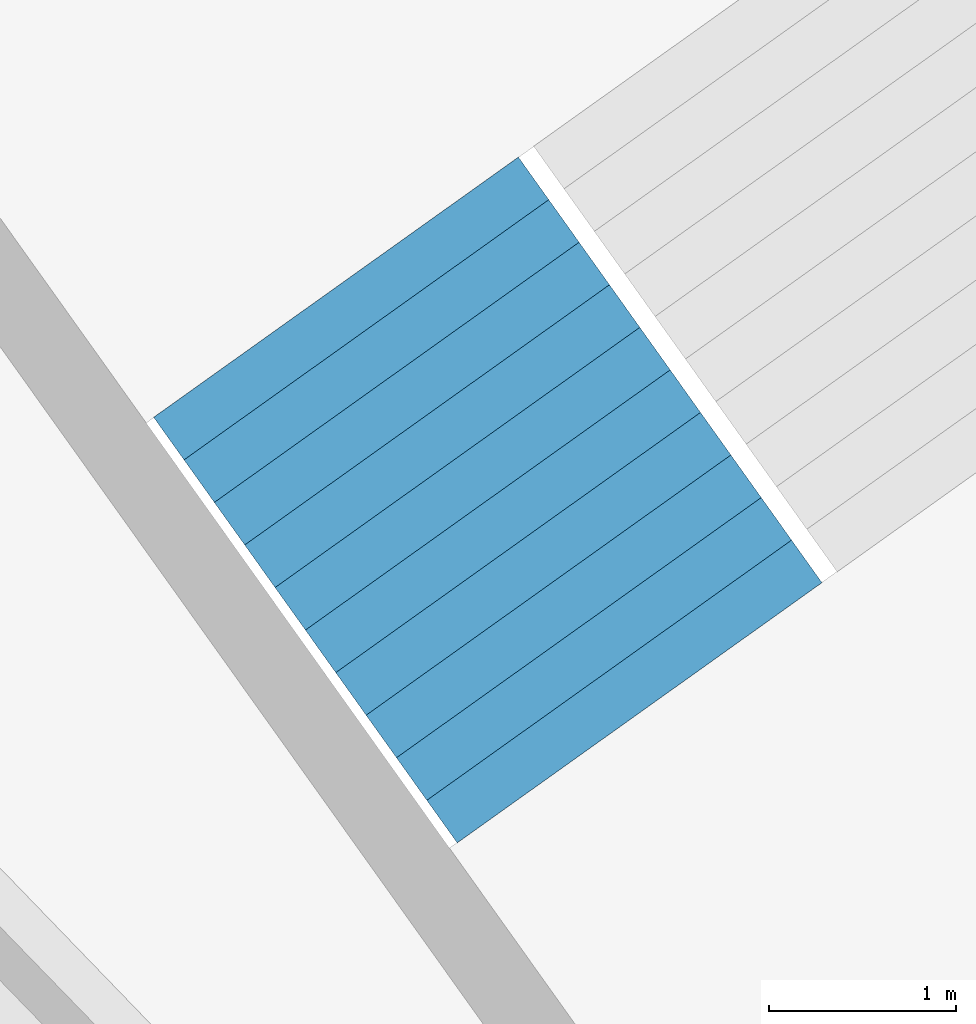
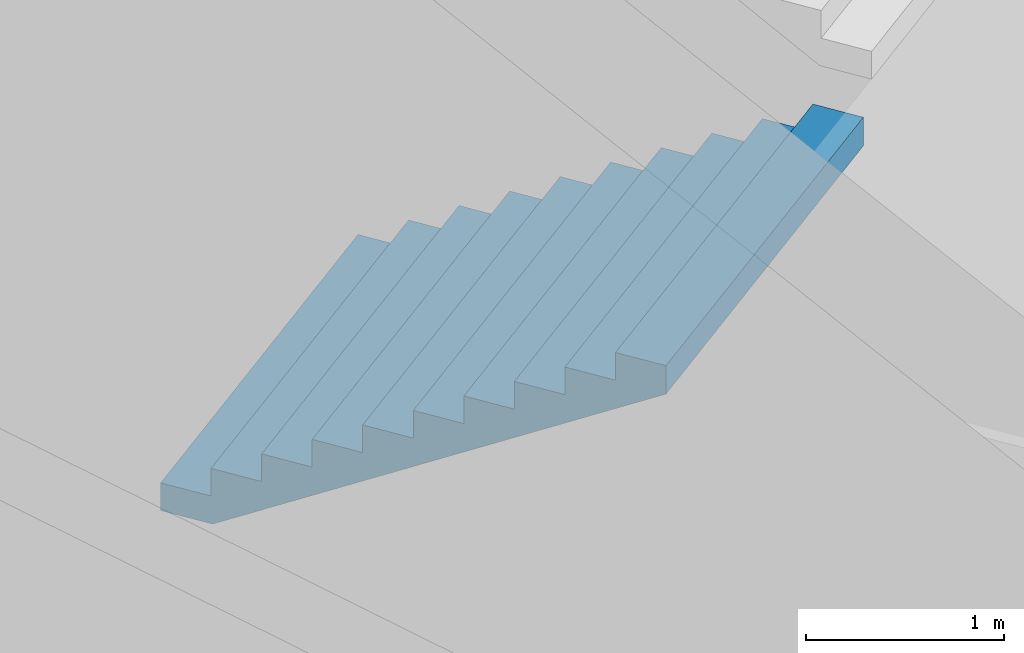
# One storey, part 41 of 73: 1 stair flight, 1 element without a shape of its own.
"""IFC4 building model written with IfcOpenShell, lengths in metres."""

import ifcopenshell
import ifcopenshell.guid

model = None  # the IFC model being written
_history = None  # IfcOwnerHistory: only IFC2X3 demands one
_inside = {}  # id of a spatial element -> (the spatial element, [elements in it])
_under = {}  # id of a project, library or spatial element -> (it, [spatial elements below it])
_declared = {}  # id of a project -> (the project, [libraries it declares])
_typed = {}  # id of a type object -> (the type object, [elements of that type])
_made_of = {}  # id of a material, layer set ... -> (it, [elements and type objects made of it])


def new_model(schema):
    """Start an empty IFC model of exactly this schema.

    Asked for "IFC4X3", IfcOpenShell would pick the latest addendum, in which some entities
    have other attributes; the version numbers below select the first issue.
    IFC2X3 requires an IfcOwnerHistory on every rooted entity: one is made here for all.
    """
    global model, _history
    if schema == "IFC4X3":
        model = ifcopenshell.file(schema_version=(4, 3, 0, 0))
    else:
        model = ifcopenshell.file(schema=schema)
    _inside.clear()
    _under.clear()
    _declared.clear()
    _typed.clear()
    _made_of.clear()
    _history = None
    if model.schema == "IFC2X3":
        org = make("IfcOrganization", Name="unknown")
        user = make(
            "IfcPersonAndOrganization",
            ThePerson=make("IfcPerson", FamilyName="unknown"),
            TheOrganization=org,
        )
        app = make(
            "IfcApplication",
            ApplicationDeveloper=org,
            Version="unknown",
            ApplicationFullName="unknown",
            ApplicationIdentifier="unknown",
        )
        _history = make(
            "IfcOwnerHistory",
            OwningUser=user,
            OwningApplication=app,
            ChangeAction="ADDED",
            CreationDate=0,
        )
    return model


def make(cls, **values):
    """One entity of the class cls with the attributes given. An attribute that is None is left unset."""
    return model.create_entity(
        cls, **{name: value for name, value in values.items() if value is not None}
    )


def rooted(cls, **values):
    """An entity with a GlobalId (a new one), such as an element, a storey or a relation."""
    return make(cls, GlobalId=ifcopenshell.guid.new(), OwnerHistory=_history, **values)


def si_unit(unit_type, name, prefix=None):
    """IfcSIUnit, for example si_unit("LENGTHUNIT", "METRE", prefix="MILLI")."""
    return make("IfcSIUnit", UnitType=unit_type, Prefix=prefix, Name=name)


def assignment(units):
    """IfcUnitAssignment: the units of a project."""
    return None if units is None else make("IfcUnitAssignment", Units=units)


def point(xyz):
    """IfcCartesianPoint."""
    return None if xyz is None else make("IfcCartesianPoint", Coordinates=xyz)


def direction(xyz):
    """IfcDirection."""
    return None if xyz is None else make("IfcDirection", DirectionRatios=xyz)


def frame(location, z_axis=None, x_axis=None):
    """IfcAxis2Placement3D, a coordinate frame: its origin and axes. An axis left out is left unset."""
    return make(
        "IfcAxis2Placement3D",
        Location=point(location),
        Axis=direction(z_axis),
        RefDirection=direction(x_axis),
    )


def origin():
    """The frame at (0, 0, 0) with its axes left unset."""
    return frame((0.0, 0.0, 0.0))


def place(relative_to, where):
    """IfcLocalPlacement: puts the frame where relative to a parent placement (None: the world)."""
    return make(
        "IfcLocalPlacement", PlacementRelTo=relative_to, RelativePlacement=where
    )


def context(
    kind, dimensions, precision=None, world=None, true_north=None, identifier=None
):
    """IfcGeometricRepresentationContext, for example the 3D "Model" context."""
    return make(
        "IfcGeometricRepresentationContext",
        ContextIdentifier=identifier,
        ContextType=kind,
        CoordinateSpaceDimension=dimensions,
        Precision=precision,
        WorldCoordinateSystem=world,
        TrueNorth=true_north,
    )


def subcontext(parent, identifier, kind, view, scale=None):
    """IfcGeometricRepresentationSubContext, for example "Body" below "Model"."""
    return make(
        "IfcGeometricRepresentationSubContext",
        ContextIdentifier=identifier,
        ContextType=kind,
        ParentContext=parent,
        TargetScale=scale,
        TargetView=view,
    )


def project(units=None, contexts=None):
    """IfcProject with its units and contexts."""
    return rooted(
        "IfcProject",
        Name="project",
        RepresentationContexts=contexts,
        UnitsInContext=assignment(units),
    )


def spatial(cls, under=None, at=None, **own):
    """A site, building, storey or space (cls), placed at a placement, below another one or the project."""
    s = rooted(cls, ObjectPlacement=at, **own)
    if under is not None:
        _under.setdefault(under.id(), (under, []))[1].append(s)
    return s


def point_list(points):
    """IfcCartesianPointList2D or 3D."""
    cls = (
        "IfcCartesianPointList2D" if len(points[0]) == 2 else "IfcCartesianPointList3D"
    )
    return make(cls, CoordList=points)


def triangles(points, corners, closed=None, point_numbers=None):
    """IfcTriangulatedFaceSet: each triangle names its three corners, points numbered from 1."""
    return make(
        "IfcTriangulatedFaceSet",
        Coordinates=point_list(points),
        Closed=closed,
        CoordIndex=corners,
        PnIndex=point_numbers,
    )


def shape(context_of_items, identifier, shape_type, items):
    """IfcShapeRepresentation: the items that make up one representation, for example the "Body"."""
    return make(
        "IfcShapeRepresentation",
        ContextOfItems=context_of_items,
        RepresentationIdentifier=identifier,
        RepresentationType=shape_type,
        Items=items,
    )


def material(Name=None, Category=None):
    """IfcMaterial."""
    return make("IfcMaterial", Name=Name, Category=Category)


def made_of(thing, what):
    """Note that an element or type object is made of a material, layer set ...; save() writes the relation."""
    if what is not None:
        _made_of.setdefault(what.id(), (what, []))[1].append(thing)
    return thing


def type_object(cls, material=None, **own):
    """A type object (cls), such as IfcWallType, which elements share."""
    return made_of(rooted(cls, **own), material)


def element(
    cls,
    number,
    at=None,
    inside=None,
    cuts=None,
    type_object=None,
    material=None,
    context=None,
    identifier="Body",
    shape_type=None,
    held_by="IfcProductDefinitionShape",
    body=None,
    shapes=None,
    **own,
):
    """One element of the class cls, such as IfcWall. Its Tag is "e" and its number.

    at: its placement. inside: the storey or other place that contains it. cuts: it is an
    opening in that element (IfcRelVoidsElement). A single representation is given by context,
    identifier, shape_type and body (its items); several are given by shapes. held_by: the class
    of the entity that holds the representations. save() writes the other relations.
    """
    e = rooted(cls, Tag="e%d" % number, ObjectPlacement=at, **own)
    if body is not None:
        shapes = [shape(context, identifier, shape_type, body)]
    if shapes is not None:
        e.Representation = make(held_by, Representations=shapes)
    if inside is not None:
        _inside.setdefault(inside.id(), (inside, []))[1].append(e)
    if cuts is not None:
        rooted(
            "IfcRelVoidsElement", RelatingBuildingElement=cuts, RelatedOpeningElement=e
        )
    if type_object is not None:
        _typed.setdefault(type_object.id(), (type_object, []))[1].append(e)
    return made_of(e, material)


def aggregate(whole, parts):
    """IfcRelAggregates: a whole, such as a stair, and the parts it consists of."""
    return rooted("IfcRelAggregates", RelatingObject=whole, RelatedObjects=parts)


def save(model, path):
    """Write the relations noted so far, then the file.

    IfcRelAggregates (storeys below a building ...), IfcRelContainedInSpatialStructure (elements
    in a storey), IfcRelDefinesByType, IfcRelAssociatesMaterial and IfcRelDeclares: one each for
    every whole, place, type object, material and project.
    """
    for whole, parts in _under.values():
        aggregate(whole, parts)
    for where, things in _inside.values():
        rooted(
            "IfcRelContainedInSpatialStructure",
            RelatedElements=things,
            RelatingStructure=where,
        )
    for kind, things in _typed.values():
        rooted("IfcRelDefinesByType", RelatedObjects=things, RelatingType=kind)
    for what, things in _made_of.values():
        rooted("IfcRelAssociatesMaterial", RelatedObjects=things, RelatingMaterial=what)
    for by, libraries in _declared.values():
        rooted("IfcRelDeclares", RelatingContext=by, RelatedDefinitions=libraries)
    model.write(path)


model = new_model("IFC4")

# Units and contexts
model_context = context("Model", 3, precision=1e-05, world=origin(), true_north=direction((0.0, 1.0)))
body_context = subcontext(model_context, "Body", "Model", "MODEL_VIEW")
ifc_project = project(units=[si_unit("LENGTHUNIT", "METRE"), si_unit("AREAUNIT", "SQUARE_METRE"), si_unit("VOLUMEUNIT", "CUBIC_METRE"), si_unit("PLANEANGLEUNIT", "RADIAN"), si_unit("MASSUNIT", "GRAM", prefix="KILO")], contexts=[model_context])

# Site, building, storey
site_placement = place(None, origin())
site = spatial("IfcSite", under=ifc_project, at=site_placement, CompositionType="ELEMENT")
building_placement = place(site_placement, origin())
building = spatial("IfcBuilding", under=site, at=building_placement, Name="Lantaw Convention Tower", CompositionType="ELEMENT")
storey_placement = place(building_placement, frame((0.0, 0.0, 14.5)))
storey = spatial("IfcBuildingStorey", under=building, at=storey_placement, Name="L02", CompositionType="ELEMENT", Elevation=14.5)

# Stair, stair flight
ifc_material = material(Name="Concrete C35/45", Category="concrete")
stair_type = type_object("IfcStairType", Name="Exit stair 2400 riser 170.45 in 4 flights", PredefinedType="HALF_TURN_STAIR", material=ifc_material)
stair_placement = place(storey_placement, origin())
stair = element("IfcStair", 1, at=stair_placement, inside=storey, type_object=stair_type, Name="Podium exit stair P6 L02", PredefinedType="HALF_TURN_STAIR")
stair_flight_type = type_object("IfcStairFlightType", Name="Stair flight 2400 riser 170.45", PredefinedType="STRAIGHT", material=ifc_material)
stair_flight_placement = place(storey_placement, frame((-20.631591796875, 26.771728515625, 1.875), z_axis=(0.0, 0.0, 1.0), x_axis=(0.580702955711, -0.814115518356, 0.0)))
stair_flight = element("IfcStairFlight", 2, at=stair_flight_placement, type_object=stair_flight_type, Name="P6 flight 2", NumberOfRisers=11, NumberOfTreads=10, PredefinedType="STRAIGHT", RiserHeight=0.170454545, TreadLength=0.28, context=body_context, shape_type="Tessellation", body=[
    triangles([(0.0, 1.199951171875, 0.0), (0.0, 1.199951171875, 0.170454545), (0.28, 1.199951171875, 0.0), (0.28, 1.199951171875, 0.170454545), (0.28, 1.199951171875, 0.34090909), (0.28827876332691904, 1.199951171875, 0.0), (0.28827876332691904, 1.199951171875, 0.34090909), (0.56, 1.199951171875, 0.16541471344266906), (0.56, 1.199951171875, 0.34090909), (0.56, 1.199951171875, 0.511363635), (0.8400000000000001, 1.199951171875, 0.335869258442669), (0.8400000000000001, 1.199951171875, 0.511363635), (0.8400000000000001, 1.199951171875, 0.68181818), (1.12, 1.199951171875, 0.506323803442669), (1.12, 1.199951171875, 0.68181818), (1.12, 1.199951171875, 0.8522727250000001), (1.4000000000000001, 1.199951171875, 0.676778348442669), (1.4000000000000001, 1.199951171875, 0.8522727250000001), (1.4000000000000001, 1.199951171875, 1.02272727), (1.6800000000000002, 1.199951171875, 0.847232893442669), (1.6800000000000002, 1.199951171875, 1.02272727), (1.6800000000000002, 1.199951171875, 1.193181815), (1.9600000000000002, 1.199951171875, 1.017687438442669), (1.9600000000000002, 1.199951171875, 1.193181815), (1.9600000000000002, 1.199951171875, 1.36363636), (2.24, 1.199951171875, 1.188141983442669), (2.24, 1.199951171875, 1.36363636), (2.24, 1.199951171875, 1.5340909050000002), (2.5200000000000005, 1.199951171875, 1.358596528442669), (2.5200000000000005, 1.199951171875, 1.5340909050000002), (2.5200000000000005, 1.199951171875, 1.7045454500000001), (2.8000000000000003, 1.199951171875, 1.529051073442669), (2.8000000000000003, 1.199951171875, 1.7045454500000001), (0.0, -1.199951171875, 0.0), (0.0, -1.199951171875, 0.170454545), (0.28, -1.199951171875, 0.0), (0.28, -1.199951171875, 0.170454545), (0.28, -1.199951171875, 0.34090909), (0.28827876332691904, -1.199951171875, 0.0), (0.28827876332691904, -1.199951171875, 0.34090909), (0.56, -1.199951171875, 0.16541471344266906), (0.56, -1.199951171875, 0.34090909), (0.56, -1.199951171875, 0.511363635), (0.8400000000000001, -1.199951171875, 0.335869258442669), (0.8400000000000001, -1.199951171875, 0.511363635), (0.8400000000000001, -1.199951171875, 0.68181818), (1.12, -1.199951171875, 0.506323803442669), (1.12, -1.199951171875, 0.68181818), (1.12, -1.199951171875, 0.8522727250000001), (1.4000000000000001, -1.199951171875, 0.676778348442669), (1.4000000000000001, -1.199951171875, 0.8522727250000001), (1.4000000000000001, -1.199951171875, 1.02272727), (1.6800000000000002, -1.199951171875, 0.847232893442669), (1.6800000000000002, -1.199951171875, 1.02272727), (1.6800000000000002, -1.199951171875, 1.193181815), (1.9600000000000002, -1.199951171875, 1.017687438442669), (1.9600000000000002, -1.199951171875, 1.193181815), (1.9600000000000002, -1.199951171875, 1.36363636), (2.24, -1.199951171875, 1.188141983442669), (2.24, -1.199951171875, 1.36363636), (2.24, -1.199951171875, 1.5340909050000002), (2.5200000000000005, -1.199951171875, 1.358596528442669), (2.5200000000000005, -1.199951171875, 1.5340909050000002), (2.5200000000000005, -1.199951171875, 1.7045454500000001), (2.8000000000000003, -1.199951171875, 1.529051073442669), (2.8000000000000003, -1.199951171875, 1.7045454500000001), (0.0, 0.239990234375, 0.170454545), (0.0, 0.239990234375, 0.0), (0.0, 0.1199951171875, 0.170454545), (0.0, 0.1199951171875, 0.0), (0.0, 0.0, 0.170454545), (0.0, 0.0, 0.0), (0.0, -0.1199951171875, 0.170454545), (0.0, -0.1199951171875, 0.0), (0.0, -0.239990234375, 0.170454545), (0.0, -0.239990234375, 0.0), (0.28, 0.239990234375, 0.34090909), (0.28, 0.239990234375, 0.170454545), (0.28, 0.1199951171875, 0.34090909), (0.28, 0.1199951171875, 0.170454545), (0.28, 0.0, 0.34090909), (0.28, 0.0, 0.170454545), (0.28, -0.1199951171875, 0.34090909), (0.28, -0.1199951171875, 0.170454545), (0.28, -0.239990234375, 0.34090909), (0.28, -0.239990234375, 0.170454545), (0.56, 0.239990234375, 0.511363635), (0.56, 0.239990234375, 0.34090909), (0.56, 0.1199951171875, 0.511363635), (0.56, 0.1199951171875, 0.34090909), (0.56, 0.0, 0.511363635), (0.56, 0.0, 0.34090909), (0.56, -0.1199951171875, 0.511363635), (0.56, -0.1199951171875, 0.34090909), (0.56, -0.239990234375, 0.511363635), (0.56, -0.239990234375, 0.34090909), (0.8400000000000001, 0.239990234375, 0.68181818), (0.8400000000000001, 0.239990234375, 0.511363635), (0.8400000000000001, 0.1199951171875, 0.68181818), (0.8400000000000001, 0.1199951171875, 0.511363635), (0.8400000000000001, 0.0, 0.68181818), (0.8400000000000001, 0.0, 0.511363635), (0.8400000000000001, -0.1199951171875, 0.68181818), (0.8400000000000001, -0.1199951171875, 0.511363635), (0.8400000000000001, -0.239990234375, 0.68181818), (0.8400000000000001, -0.239990234375, 0.511363635), (1.12, 0.239990234375, 0.8522727250000001), (1.12, 0.239990234375, 0.68181818), (1.12, 0.1199951171875, 0.8522727250000001), (1.12, 0.1199951171875, 0.68181818), (1.12, 0.0, 0.8522727250000001), (1.12, 0.0, 0.68181818), (1.12, -0.1199951171875, 0.8522727250000001), (1.12, -0.1199951171875, 0.68181818), (1.12, -0.239990234375, 0.8522727250000001), (1.12, -0.239990234375, 0.68181818), (1.4000000000000001, 0.239990234375, 1.02272727), (1.4000000000000001, 0.239990234375, 0.8522727250000001), (1.4000000000000001, 0.1199951171875, 1.02272727), (1.4000000000000001, 0.1199951171875, 0.8522727250000001), (1.4000000000000001, 0.0, 1.02272727), (1.4000000000000001, 0.0, 0.8522727250000001), (1.4000000000000001, -0.1199951171875, 1.02272727), (1.4000000000000001, -0.1199951171875, 0.8522727250000001), (1.4000000000000001, -0.239990234375, 1.02272727), (1.4000000000000001, -0.239990234375, 0.8522727250000001), (1.6800000000000002, 0.239990234375, 1.193181815), (1.6800000000000002, 0.239990234375, 1.02272727), (1.6800000000000002, 0.1199951171875, 1.193181815), (1.6800000000000002, 0.1199951171875, 1.02272727), (1.6800000000000002, 0.0, 1.193181815), (1.6800000000000002, 0.0, 1.02272727), (1.6800000000000002, -0.1199951171875, 1.193181815), (1.6800000000000002, -0.1199951171875, 1.02272727), (1.6800000000000002, -0.239990234375, 1.193181815), (1.6800000000000002, -0.239990234375, 1.02272727), (1.9600000000000002, 0.239990234375, 1.36363636), (1.9600000000000002, 0.239990234375, 1.193181815), (1.9600000000000002, 0.1199951171875, 1.36363636), (1.9600000000000002, 0.1199951171875, 1.193181815), (1.9600000000000002, 0.0, 1.36363636), (1.9600000000000002, 0.0, 1.193181815), (1.9600000000000002, -0.1199951171875, 1.36363636), (1.9600000000000002, -0.1199951171875, 1.193181815), (1.9600000000000002, -0.239990234375, 1.36363636), (1.9600000000000002, -0.239990234375, 1.193181815), (2.24, 0.239990234375, 1.5340909050000002), (2.24, 0.239990234375, 1.36363636), (2.24, 0.1199951171875, 1.5340909050000002), (2.24, 0.1199951171875, 1.36363636), (2.24, 0.0, 1.5340909050000002), (2.24, 0.0, 1.36363636), (2.24, -0.1199951171875, 1.5340909050000002), (2.24, -0.1199951171875, 1.36363636), (2.24, -0.239990234375, 1.5340909050000002), (2.24, -0.239990234375, 1.36363636), (2.5200000000000005, 0.239990234375, 1.7045454500000001), (2.5200000000000005, 0.239990234375, 1.5340909050000002), (2.5200000000000005, 0.1199951171875, 1.7045454500000001), (2.5200000000000005, 0.1199951171875, 1.5340909050000002), (2.5200000000000005, 0.0, 1.7045454500000001), (2.5200000000000005, 0.0, 1.5340909050000002), (2.5200000000000005, -0.1199951171875, 1.7045454500000001), (2.5200000000000005, -0.1199951171875, 1.5340909050000002), (2.5200000000000005, -0.239990234375, 1.7045454500000001), (2.5200000000000005, -0.239990234375, 1.5340909050000002), (0.28827876332691904, 0.239990234375, 0.34090909), (0.28827876332691904, 0.1199951171875, 0.34090909), (0.28827876332691904, 0.0, 0.34090909), (0.28827876332691904, -0.1199951171875, 0.34090909), (0.28827876332691904, -0.239990234375, 0.34090909), (2.8000000000000003, 0.239990234375, 1.7045454500000001), (2.8000000000000003, 0.1199951171875, 1.7045454500000001), (2.8000000000000003, 0.0, 1.7045454500000001), (2.8000000000000003, -0.1199951171875, 1.7045454500000001), (2.8000000000000003, -0.239990234375, 1.7045454500000001), (2.8000000000000003, 0.239990234375, 1.5290510734426692), (2.8000000000000003, 0.1199951171875, 1.5290510734426692), (2.8000000000000003, 0.0, 1.5290510734426692), (2.8000000000000003, -0.1199951171875, 1.5290510734426692), (2.8000000000000003, -0.239990234375, 1.5290510734426692), (2.5200000000000005, 0.239990234375, 1.358596528442669), (2.5200000000000005, 0.1199951171875, 1.358596528442669), (2.5200000000000005, 0.0, 1.358596528442669), (2.5200000000000005, -0.1199951171875, 1.358596528442669), (2.5200000000000005, -0.239990234375, 1.358596528442669), (2.24, 0.239990234375, 1.188141983442669), (2.24, 0.1199951171875, 1.188141983442669), (2.24, 0.0, 1.188141983442669), (2.24, -0.1199951171875, 1.188141983442669), (2.24, -0.239990234375, 1.188141983442669), (1.9600000000000002, 0.239990234375, 1.017687438442669), (1.9600000000000002, 0.1199951171875, 1.017687438442669), (1.9600000000000002, 0.0, 1.017687438442669), (1.9600000000000002, -0.1199951171875, 1.017687438442669), (1.9600000000000002, -0.239990234375, 1.017687438442669), (1.6800000000000002, 0.239990234375, 0.847232893442669), (1.6800000000000002, 0.1199951171875, 0.847232893442669), (1.6800000000000002, 0.0, 0.847232893442669), (1.6800000000000002, -0.1199951171875, 0.847232893442669), (1.6800000000000002, -0.239990234375, 0.847232893442669), (1.4000000000000001, 0.239990234375, 0.676778348442669), (1.4000000000000001, 0.1199951171875, 0.676778348442669), (1.4000000000000001, 0.0, 0.676778348442669), (1.4000000000000001, -0.1199951171875, 0.676778348442669), (1.4000000000000001, -0.239990234375, 0.676778348442669), (1.12, 0.239990234375, 0.506323803442669), (1.12, 0.1199951171875, 0.506323803442669), (1.12, 0.0, 0.506323803442669), (1.12, -0.1199951171875, 0.506323803442669), (1.12, -0.239990234375, 0.506323803442669), (0.8400000000000001, 0.239990234375, 0.335869258442669), (0.8400000000000001, 0.1199951171875, 0.335869258442669), (0.8400000000000001, 0.0, 0.335869258442669), (0.8400000000000001, -0.1199951171875, 0.335869258442669), (0.8400000000000001, -0.239990234375, 0.335869258442669), (0.56, 0.239990234375, 0.16541471344266906), (0.56, 0.1199951171875, 0.16541471344266906), (0.56, 0.0, 0.16541471344266906), (0.56, -0.1199951171875, 0.16541471344266906), (0.56, -0.239990234375, 0.16541471344266906), (0.28827876332691904, 0.239990234375, 0.0), (0.28827876332691904, 0.1199951171875, 0.0), (0.28827876332691904, 0.0, 0.0), (0.28827876332691904, -0.1199951171875, 0.0), (0.28827876332691904, -0.239990234375, 0.0), (0.28, 0.239990234375, 0.0), (0.28, 0.1199951171875, 0.0), (0.28, 0.0, 0.0), (0.28, -0.1199951171875, 0.0), (0.28, -0.239990234375, 0.0)], [[1, 4, 3], [1, 2, 4], [3, 4, 6], [4, 7, 6], [4, 5, 7], [6, 9, 8], [6, 7, 9], [8, 9, 11], [9, 12, 11], [9, 10, 12], [11, 12, 14], [12, 15, 14], [12, 13, 15], [14, 15, 17], [15, 18, 17], [15, 16, 18], [17, 18, 20], [18, 21, 20], [18, 19, 21], [20, 21, 23], [21, 24, 23], [21, 22, 24], [23, 24, 26], [24, 27, 26], [24, 25, 27], [26, 27, 29], [27, 30, 29], [27, 28, 30], [29, 30, 32], [30, 33, 32], [30, 31, 33], [34, 36, 37], [34, 37, 35], [36, 39, 37], [37, 39, 40], [37, 40, 38], [39, 41, 42], [39, 42, 40], [41, 44, 42], [42, 44, 45], [42, 45, 43], [44, 47, 45], [45, 47, 48], [45, 48, 46], [47, 50, 48], [48, 50, 51], [48, 51, 49], [50, 53, 51], [51, 53, 54], [51, 54, 52], [53, 56, 54], [54, 56, 57], [54, 57, 55], [56, 59, 57], [57, 59, 60], [57, 60, 58], [59, 62, 60], [60, 62, 63], [60, 63, 61], [62, 65, 63], [63, 65, 66], [63, 66, 64], [1, 67, 2], [1, 68, 67], [68, 69, 67], [68, 70, 69], [70, 71, 69], [70, 72, 71], [72, 73, 71], [72, 74, 73], [74, 75, 73], [74, 76, 75], [76, 35, 75], [76, 34, 35], [4, 77, 5], [4, 78, 77], [78, 79, 77], [78, 80, 79], [80, 81, 79], [80, 82, 81], [82, 83, 81], [82, 84, 83], [84, 85, 83], [84, 86, 85], [86, 38, 85], [86, 37, 38], [9, 87, 10], [9, 88, 87], [88, 89, 87], [88, 90, 89], [90, 91, 89], [90, 92, 91], [92, 93, 91], [92, 94, 93], [94, 95, 93], [94, 96, 95], [96, 43, 95], [96, 42, 43], [12, 97, 13], [12, 98, 97], [98, 99, 97], [98, 100, 99], [100, 101, 99], [100, 102, 101], [102, 103, 101], [102, 104, 103], [104, 105, 103], [104, 106, 105], [106, 46, 105], [106, 45, 46], [15, 107, 16], [15, 108, 107], [108, 109, 107], [108, 110, 109], [110, 111, 109], [110, 112, 111], [112, 113, 111], [112, 114, 113], [114, 115, 113], [114, 116, 115], [116, 49, 115], [116, 48, 49], [18, 117, 19], [18, 118, 117], [118, 119, 117], [118, 120, 119], [120, 121, 119], [120, 122, 121], [122, 123, 121], [122, 124, 123], [124, 125, 123], [124, 126, 125], [126, 52, 125], [126, 51, 52], [21, 127, 22], [21, 128, 127], [128, 129, 127], [128, 130, 129], [130, 131, 129], [130, 132, 131], [132, 133, 131], [132, 134, 133], [134, 135, 133], [134, 136, 135], [136, 55, 135], [136, 54, 55], [24, 137, 25], [24, 138, 137], [138, 139, 137], [138, 140, 139], [140, 141, 139], [140, 142, 141], [142, 143, 141], [142, 144, 143], [144, 145, 143], [144, 146, 145], [146, 58, 145], [146, 57, 58], [27, 147, 28], [27, 148, 147], [148, 149, 147], [148, 150, 149], [150, 151, 149], [150, 152, 151], [152, 153, 151], [152, 154, 153], [154, 155, 153], [154, 156, 155], [156, 61, 155], [156, 60, 61], [30, 157, 31], [30, 158, 157], [158, 159, 157], [158, 160, 159], [160, 161, 159], [160, 162, 161], [162, 163, 161], [162, 164, 163], [164, 165, 163], [164, 166, 165], [166, 64, 165], [166, 63, 64], [2, 78, 4], [2, 67, 78], [67, 80, 78], [67, 69, 80], [69, 82, 80], [69, 71, 82], [71, 84, 82], [71, 73, 84], [73, 86, 84], [73, 75, 86], [75, 37, 86], [75, 35, 37], [5, 167, 7], [5, 77, 167], [77, 168, 167], [77, 79, 168], [79, 169, 168], [79, 81, 169], [81, 170, 169], [81, 83, 170], [83, 171, 170], [83, 85, 171], [85, 40, 171], [85, 38, 40], [7, 88, 9], [7, 167, 88], [167, 90, 88], [167, 168, 90], [168, 92, 90], [168, 169, 92], [169, 94, 92], [169, 170, 94], [170, 96, 94], [170, 171, 96], [171, 42, 96], [171, 40, 42], [10, 98, 12], [10, 87, 98], [87, 100, 98], [87, 89, 100], [89, 102, 100], [89, 91, 102], [91, 104, 102], [91, 93, 104], [93, 106, 104], [93, 95, 106], [95, 45, 106], [95, 43, 45], [13, 108, 15], [13, 97, 108], [97, 110, 108], [97, 99, 110], [99, 112, 110], [99, 101, 112], [101, 114, 112], [101, 103, 114], [103, 116, 114], [103, 105, 116], [105, 48, 116], [105, 46, 48], [16, 118, 18], [16, 107, 118], [107, 120, 118], [107, 109, 120], [109, 122, 120], [109, 111, 122], [111, 124, 122], [111, 113, 124], [113, 126, 124], [113, 115, 126], [115, 51, 126], [115, 49, 51], [19, 128, 21], [19, 117, 128], [117, 130, 128], [117, 119, 130], [119, 132, 130], [119, 121, 132], [121, 134, 132], [121, 123, 134], [123, 136, 134], [123, 125, 136], [125, 54, 136], [125, 52, 54], [22, 138, 24], [22, 127, 138], [127, 140, 138], [127, 129, 140], [129, 142, 140], [129, 131, 142], [131, 144, 142], [131, 133, 144], [133, 146, 144], [133, 135, 146], [135, 57, 146], [135, 55, 57], [25, 148, 27], [25, 137, 148], [137, 150, 148], [137, 139, 150], [139, 152, 150], [139, 141, 152], [141, 154, 152], [141, 143, 154], [143, 156, 154], [143, 145, 156], [145, 60, 156], [145, 58, 60], [28, 158, 30], [28, 147, 158], [147, 160, 158], [147, 149, 160], [149, 162, 160], [149, 151, 162], [151, 164, 162], [151, 153, 164], [153, 166, 164], [153, 155, 166], [155, 63, 166], [155, 61, 63], [31, 172, 33], [31, 157, 172], [157, 173, 172], [157, 159, 173], [159, 174, 173], [159, 161, 174], [161, 175, 174], [161, 163, 175], [163, 176, 175], [163, 165, 176], [165, 66, 176], [165, 64, 66], [33, 177, 32], [33, 172, 177], [172, 178, 177], [172, 173, 178], [173, 179, 178], [173, 174, 179], [174, 180, 179], [174, 175, 180], [175, 181, 180], [175, 176, 181], [176, 65, 181], [176, 66, 65], [32, 182, 29], [32, 177, 182], [177, 183, 182], [177, 178, 183], [178, 184, 183], [178, 179, 184], [179, 185, 184], [179, 180, 185], [180, 186, 185], [180, 181, 186], [181, 62, 186], [181, 65, 62], [29, 187, 26], [29, 182, 187], [182, 188, 187], [182, 183, 188], [183, 189, 188], [183, 184, 189], [184, 190, 189], [184, 185, 190], [185, 191, 190], [185, 186, 191], [186, 59, 191], [186, 62, 59], [26, 192, 23], [26, 187, 192], [187, 193, 192], [187, 188, 193], [188, 194, 193], [188, 189, 194], [189, 195, 194], [189, 190, 195], [190, 196, 195], [190, 191, 196], [191, 56, 196], [191, 59, 56], [23, 197, 20], [23, 192, 197], [192, 198, 197], [192, 193, 198], [193, 199, 198], [193, 194, 199], [194, 200, 199], [194, 195, 200], [195, 201, 200], [195, 196, 201], [196, 53, 201], [196, 56, 53], [20, 202, 17], [20, 197, 202], [197, 203, 202], [197, 198, 203], [198, 204, 203], [198, 199, 204], [199, 205, 204], [199, 200, 205], [200, 206, 205], [200, 201, 206], [201, 50, 206], [201, 53, 50], [17, 207, 14], [17, 202, 207], [202, 208, 207], [202, 203, 208], [203, 209, 208], [203, 204, 209], [204, 210, 209], [204, 205, 210], [205, 211, 210], [205, 206, 211], [206, 47, 211], [206, 50, 47], [14, 212, 11], [14, 207, 212], [207, 213, 212], [207, 208, 213], [208, 214, 213], [208, 209, 214], [209, 215, 214], [209, 210, 215], [210, 216, 215], [210, 211, 216], [211, 44, 216], [211, 47, 44], [11, 217, 8], [11, 212, 217], [212, 218, 217], [212, 213, 218], [213, 219, 218], [213, 214, 219], [214, 220, 219], [214, 215, 220], [215, 221, 220], [215, 216, 221], [216, 41, 221], [216, 44, 41], [8, 222, 6], [8, 217, 222], [217, 223, 222], [217, 218, 223], [218, 224, 223], [218, 219, 224], [219, 225, 224], [219, 220, 225], [220, 226, 225], [220, 221, 226], [221, 39, 226], [221, 41, 39], [6, 227, 3], [6, 222, 227], [222, 228, 227], [222, 223, 228], [223, 229, 228], [223, 224, 229], [224, 230, 229], [224, 225, 230], [225, 231, 230], [225, 226, 231], [226, 36, 231], [226, 39, 36], [3, 68, 1], [3, 227, 68], [227, 70, 68], [227, 228, 70], [228, 72, 70], [228, 229, 72], [229, 74, 72], [229, 230, 74], [230, 76, 74], [230, 231, 76], [231, 34, 76], [231, 36, 34]], closed=True),
])
aggregate(stair, [stair_flight])

save(model, "model.ifc")
